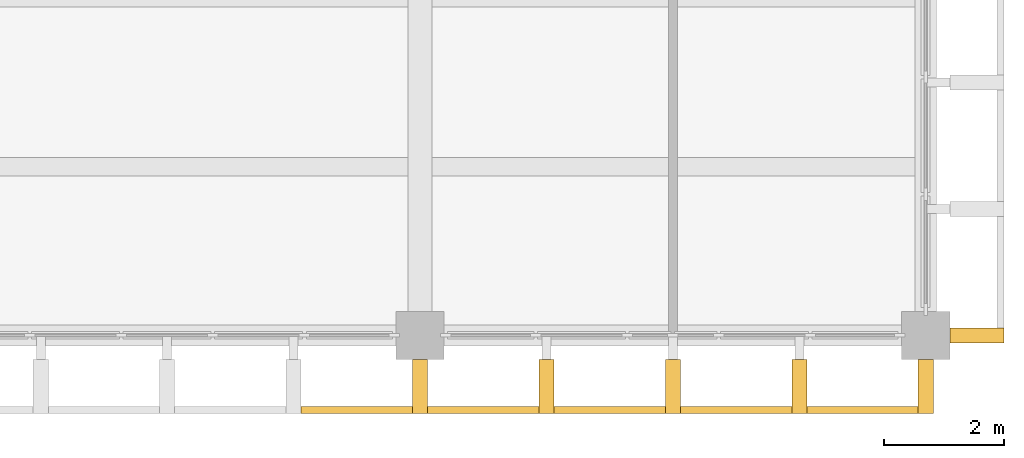
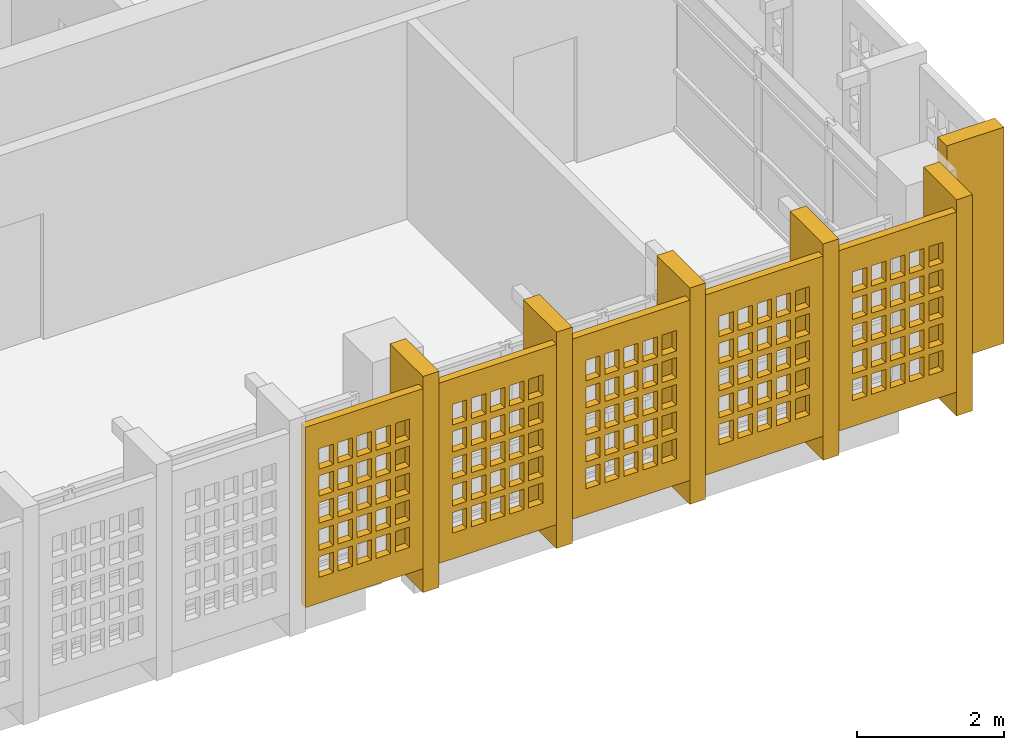
# One storey, part 9 of 13: 11 shading devices, 5 openings.
"""IFC4 building model written with IfcOpenShell, lengths in metres."""

import ifcopenshell
import ifcopenshell.guid

model = None  # the IFC model being written
_history = None  # IfcOwnerHistory: only IFC2X3 demands one
_inside = {}  # id of a spatial element -> (the spatial element, [elements in it])
_under = {}  # id of a project, library or spatial element -> (it, [spatial elements below it])
_declared = {}  # id of a project -> (the project, [libraries it declares])
_typed = {}  # id of a type object -> (the type object, [elements of that type])
_made_of = {}  # id of a material, layer set ... -> (it, [elements and type objects made of it])


def new_model(schema):
    """Start an empty IFC model of exactly this schema.

    Asked for "IFC4X3", IfcOpenShell would pick the latest addendum, in which some entities
    have other attributes; the version numbers below select the first issue.
    IFC2X3 requires an IfcOwnerHistory on every rooted entity: one is made here for all.
    """
    global model, _history
    if schema == "IFC4X3":
        model = ifcopenshell.file(schema_version=(4, 3, 0, 0))
    else:
        model = ifcopenshell.file(schema=schema)
    _inside.clear()
    _under.clear()
    _declared.clear()
    _typed.clear()
    _made_of.clear()
    _history = None
    if model.schema == "IFC2X3":
        org = make("IfcOrganization", Name="unknown")
        user = make(
            "IfcPersonAndOrganization",
            ThePerson=make("IfcPerson", FamilyName="unknown"),
            TheOrganization=org,
        )
        app = make(
            "IfcApplication",
            ApplicationDeveloper=org,
            Version="unknown",
            ApplicationFullName="unknown",
            ApplicationIdentifier="unknown",
        )
        _history = make(
            "IfcOwnerHistory",
            OwningUser=user,
            OwningApplication=app,
            ChangeAction="ADDED",
            CreationDate=0,
        )
    return model


def make(cls, **values):
    """One entity of the class cls with the attributes given. An attribute that is None is left unset."""
    return model.create_entity(
        cls, **{name: value for name, value in values.items() if value is not None}
    )


def rooted(cls, **values):
    """An entity with a GlobalId (a new one), such as an element, a storey or a relation."""
    return make(cls, GlobalId=ifcopenshell.guid.new(), OwnerHistory=_history, **values)


def si_unit(unit_type, name, prefix=None):
    """IfcSIUnit, for example si_unit("LENGTHUNIT", "METRE", prefix="MILLI")."""
    return make("IfcSIUnit", UnitType=unit_type, Prefix=prefix, Name=name)


def assignment(units):
    """IfcUnitAssignment: the units of a project."""
    return None if units is None else make("IfcUnitAssignment", Units=units)


def point(xyz):
    """IfcCartesianPoint."""
    return None if xyz is None else make("IfcCartesianPoint", Coordinates=xyz)


def direction(xyz):
    """IfcDirection."""
    return None if xyz is None else make("IfcDirection", DirectionRatios=xyz)


def frame(location, z_axis=None, x_axis=None):
    """IfcAxis2Placement3D, a coordinate frame: its origin and axes. An axis left out is left unset."""
    return make(
        "IfcAxis2Placement3D",
        Location=point(location),
        Axis=direction(z_axis),
        RefDirection=direction(x_axis),
    )


def frame_2d(location, x_axis=None):
    """IfcAxis2Placement2D, a coordinate frame in the plane: its origin and x axis."""
    return make(
        "IfcAxis2Placement2D", Location=point(location), RefDirection=direction(x_axis)
    )


def origin():
    """The frame at (0, 0, 0) with its axes left unset."""
    return frame((0.0, 0.0, 0.0))


def origin_2d():
    """The frame at (0, 0) in the plane with its x axis left unset."""
    return frame_2d((0.0, 0.0))


def place(relative_to, where):
    """IfcLocalPlacement: puts the frame where relative to a parent placement (None: the world)."""
    return make(
        "IfcLocalPlacement", PlacementRelTo=relative_to, RelativePlacement=where
    )


def context(
    kind, dimensions, precision=None, world=None, true_north=None, identifier=None
):
    """IfcGeometricRepresentationContext, for example the 3D "Model" context."""
    return make(
        "IfcGeometricRepresentationContext",
        ContextIdentifier=identifier,
        ContextType=kind,
        CoordinateSpaceDimension=dimensions,
        Precision=precision,
        WorldCoordinateSystem=world,
        TrueNorth=true_north,
    )


def subcontext(parent, identifier, kind, view, scale=None):
    """IfcGeometricRepresentationSubContext, for example "Body" below "Model"."""
    return make(
        "IfcGeometricRepresentationSubContext",
        ContextIdentifier=identifier,
        ContextType=kind,
        ParentContext=parent,
        TargetScale=scale,
        TargetView=view,
    )


def project(units=None, contexts=None):
    """IfcProject with its units and contexts."""
    return rooted(
        "IfcProject",
        Name="project",
        RepresentationContexts=contexts,
        UnitsInContext=assignment(units),
    )


def spatial(cls, under=None, at=None, **own):
    """A site, building, storey or space (cls), placed at a placement, below another one or the project."""
    s = rooted(cls, ObjectPlacement=at, **own)
    if under is not None:
        _under.setdefault(under.id(), (under, []))[1].append(s)
    return s


def profile(cls, at=None, kind="AREA", **sizes):
    """A parametric profile (cls). Its sizes go by their IFC names, for example OverallWidth=200.0."""
    return make(cls, ProfileType=kind, Position=at, **sizes)


def rectangle(**sizes):
    """IfcRectangleProfileDef."""
    return profile("IfcRectangleProfileDef", **sizes)


def extrude(swept, where, along, depth):
    """IfcExtrudedAreaSolid: the profile swept, set in the frame where, extruded along a direction by depth."""
    return make(
        "IfcExtrudedAreaSolid",
        SweptArea=swept,
        Position=where,
        ExtrudedDirection=direction(along),
        Depth=depth,
    )


def shape(context_of_items, identifier, shape_type, items):
    """IfcShapeRepresentation: the items that make up one representation, for example the "Body"."""
    return make(
        "IfcShapeRepresentation",
        ContextOfItems=context_of_items,
        RepresentationIdentifier=identifier,
        RepresentationType=shape_type,
        Items=items,
    )


def material(Name=None, Category=None):
    """IfcMaterial."""
    return make("IfcMaterial", Name=Name, Category=Category)


def layer(
    of_material, thickness, ventilated=None, Name=None, Category=None, Priority=None
):
    """IfcMaterialLayer: one layer of a wall or slab, of a material (None: an air gap)."""
    return make(
        "IfcMaterialLayer",
        Material=of_material,
        LayerThickness=thickness,
        IsVentilated=ventilated,
        Name=Name,
        Category=Category,
        Priority=Priority,
    )


def layer_set(layers, Name=None):
    """IfcMaterialLayerSet."""
    return make("IfcMaterialLayerSet", MaterialLayers=layers, LayerSetName=Name)


def material_profile(
    of_material, cross_section, Name=None, Category=None, Priority=None
):
    """IfcMaterialProfile: a cross section and its material."""
    return make(
        "IfcMaterialProfile",
        Name=Name,
        Material=of_material,
        Profile=cross_section,
        Priority=Priority,
        Category=Category,
    )


def profile_set(profiles, Name=None, composite=None):
    """IfcMaterialProfileSet."""
    return make(
        "IfcMaterialProfileSet",
        Name=Name,
        MaterialProfiles=profiles,
        CompositeProfile=composite,
    )


def made_of(thing, what):
    """Note that an element or type object is made of a material, layer set ...; save() writes the relation."""
    if what is not None:
        _made_of.setdefault(what.id(), (what, []))[1].append(thing)
    return thing


def type_object(cls, material=None, **own):
    """A type object (cls), such as IfcWallType, which elements share."""
    return made_of(rooted(cls, **own), material)


def element(
    cls,
    number,
    at=None,
    inside=None,
    cuts=None,
    type_object=None,
    material=None,
    context=None,
    identifier="Body",
    shape_type=None,
    held_by="IfcProductDefinitionShape",
    body=None,
    shapes=None,
    **own,
):
    """One element of the class cls, such as IfcWall. Its Tag is "e" and its number.

    at: its placement. inside: the storey or other place that contains it. cuts: it is an
    opening in that element (IfcRelVoidsElement). A single representation is given by context,
    identifier, shape_type and body (its items); several are given by shapes. held_by: the class
    of the entity that holds the representations. save() writes the other relations.
    """
    e = rooted(cls, Tag="e%d" % number, ObjectPlacement=at, **own)
    if body is not None:
        shapes = [shape(context, identifier, shape_type, body)]
    if shapes is not None:
        e.Representation = make(held_by, Representations=shapes)
    if inside is not None:
        _inside.setdefault(inside.id(), (inside, []))[1].append(e)
    if cuts is not None:
        rooted(
            "IfcRelVoidsElement", RelatingBuildingElement=cuts, RelatedOpeningElement=e
        )
    if type_object is not None:
        _typed.setdefault(type_object.id(), (type_object, []))[1].append(e)
    return made_of(e, material)


def aggregate(whole, parts):
    """IfcRelAggregates: a whole, such as a stair, and the parts it consists of."""
    return rooted("IfcRelAggregates", RelatingObject=whole, RelatedObjects=parts)


def save(model, path):
    """Write the relations noted so far, then the file.

    IfcRelAggregates (storeys below a building ...), IfcRelContainedInSpatialStructure (elements
    in a storey), IfcRelDefinesByType, IfcRelAssociatesMaterial and IfcRelDeclares: one each for
    every whole, place, type object, material and project.
    """
    for whole, parts in _under.values():
        aggregate(whole, parts)
    for where, things in _inside.values():
        rooted(
            "IfcRelContainedInSpatialStructure",
            RelatedElements=things,
            RelatingStructure=where,
        )
    for kind, things in _typed.values():
        rooted("IfcRelDefinesByType", RelatedObjects=things, RelatingType=kind)
    for what, things in _made_of.values():
        rooted("IfcRelAssociatesMaterial", RelatedObjects=things, RelatingMaterial=what)
    for by, libraries in _declared.values():
        rooted("IfcRelDeclares", RelatingContext=by, RelatedDefinitions=libraries)
    model.write(path)


model = new_model("IFC4")

# Units and contexts
model_context = context("Model", 3, precision=1e-05, world=origin(), true_north=direction((0.0, 1.0)))
body_context = subcontext(model_context, "Body", "Model", "MODEL_VIEW")
ifc_project = project(units=[si_unit("LENGTHUNIT", "METRE"), si_unit("AREAUNIT", "SQUARE_METRE"), si_unit("VOLUMEUNIT", "CUBIC_METRE"), si_unit("PLANEANGLEUNIT", "RADIAN"), si_unit("MASSUNIT", "GRAM", prefix="KILO")], contexts=[model_context])

# Site, building, storey
site_placement = place(None, origin())
site = spatial("IfcSite", under=ifc_project, at=site_placement, CompositionType="ELEMENT")
building_placement = place(site_placement, origin())
building = spatial("IfcBuilding", under=site, at=building_placement, Name="Rulbaag Community and Learning Centre", CompositionType="ELEMENT")
storey_placement = place(building_placement, frame((0.0, 0.0, 39.60009765625)))
storey = spatial("IfcBuildingStorey", under=building, at=storey_placement, Name="L10", CompositionType="ELEMENT", Elevation=39.60009765625)

# Shading devices
ifc_material = material(Name="Concrete M40", Category="concrete")
ifc_material_profile = material_profile(ifc_material, rectangle(XDim=0.25, YDim=0.89990234375, at=origin_2d()), Name="PC 250x900")
ifc_profile_set = profile_set([ifc_material_profile], Name="Concrete M40")
shading_device_type_1 = type_object("IfcShadingDeviceType", Name="FIN-H", PredefinedType="JALOUSIE", material=ifc_profile_set)
for number, where, z_axis, x_axis, name in (
    (1, (159.60009765625, 83.14990234375, 0.0), (0.0, 0.0, 1.0), (1.0, 0.0, 0.0), "Precast fin"),
    (2, (161.699951171875, 83.14990234375, 0.0), (0.0, 0.0, 1.0), (1.0, 0.0, 0.0), "Precast fin"),
    (3, (163.800048828125, 83.14990234375, 0.0), (0.0, 0.0, 1.0), (1.0, 0.0, 0.0), "Precast fin"),
    (4, (165.89990234375, 83.14990234375, 0.0), (0.0, 0.0, 1.0), (1.0, 0.0, 0.0), "Precast fin"),
    (5, (168.0, 83.14990234375, 0.0), (0.0, 0.0, 1.0), (1.0, 0.0, 0.0), "Precast fin"),
    (6, (168.85009765625, 84.0, 0.0), (0.0, 0.0, 1.0), (0.0, 1.0, 0.0), "Precast fin"),
):
    element("IfcShadingDevice", number, at=place(storey_placement, frame(where, z_axis=z_axis, x_axis=x_axis)), inside=storey, type_object=shading_device_type_1, Name=name, PredefinedType="JALOUSIE", context=body_context, shape_type="SweptSolid", body=[
        extrude(rectangle(XDim=0.25, YDim=0.89990234375, at=origin_2d()), origin(), (0.0, 0.0, 1.0), 3.599853515625),
    ])

# Shading device, opening
ifc_layer = layer(ifc_material, 0.1201171875)
ifc_layer_set = layer_set([ifc_layer], Name="JB-83")
shading_device_type_2 = type_object("IfcShadingDeviceType", Name="JB-83", PredefinedType="SHUTTER", material=ifc_layer_set)
shading_device_1_placement = place(storey_placement, frame((158.550048828125, 82.760009765625, 0.39990234375), z_axis=(0.0, 0.0, 1.0), x_axis=(1.0, 0.0, 0.0)))
shading_device_1 = element("IfcShadingDevice", 7, at=shading_device_1_placement, inside=storey, type_object=shading_device_type_2, Name="Jaali screen", PredefinedType="SHUTTER", context=body_context, shape_type="SweptSolid", body=[
    extrude(rectangle(XDim=1.85009765625, YDim=0.1201171875, at=origin_2d()), origin(), (0.0, 0.0, 1.0), 3.0),
])
opening_1_placement = place(shading_device_1_placement, origin())
element("IfcOpeningElement", 8, at=opening_1_placement, cuts=shading_device_1, Name="Perforation JB1", PredefinedType="OPENING", context=body_context, shape_type="SweptSolid", body=[
    extrude(rectangle(XDim=0.22509765625, YDim=0.340087890625, at=origin_2d()), frame((-0.60009765625, -0.070068359375, 0.60009765625), z_axis=(0.0, 1.0, 0.0), x_axis=(1.0, 0.0, 0.0)), (0.0, 0.0, 1.0), 0.139892578125),
    extrude(rectangle(XDim=0.22509765625, YDim=0.340087890625, at=origin_2d()), frame((-0.300048828125, -0.070068359375, 0.60009765625), z_axis=(0.0, 1.0, 0.0), x_axis=(1.0, 0.0, 0.0)), (0.0, 0.0, 1.0), 0.139892578125),
    extrude(rectangle(XDim=0.22509765625, YDim=0.340087890625, at=origin_2d()), frame((0.0, -0.070068359375, 0.60009765625), z_axis=(0.0, 1.0, 0.0), x_axis=(1.0, 0.0, 0.0)), (0.0, 0.0, 1.0), 0.139892578125),
    extrude(rectangle(XDim=0.22509765625, YDim=0.340087890625, at=origin_2d()), frame((0.300048828125, -0.070068359375, 0.60009765625), z_axis=(0.0, 1.0, 0.0), x_axis=(1.0, 0.0, 0.0)), (0.0, 0.0, 1.0), 0.139892578125),
    extrude(rectangle(XDim=0.22509765625, YDim=0.340087890625, at=origin_2d()), frame((0.60009765625, -0.070068359375, 0.60009765625), z_axis=(0.0, 1.0, 0.0), x_axis=(1.0, 0.0, 0.0)), (0.0, 0.0, 1.0), 0.139892578125),
    extrude(rectangle(XDim=0.22509765625, YDim=0.340087890625, at=origin_2d()), frame((-0.60009765625, -0.070068359375, 1.050048828125), z_axis=(0.0, 1.0, 0.0), x_axis=(1.0, 0.0, 0.0)), (0.0, 0.0, 1.0), 0.139892578125),
    extrude(rectangle(XDim=0.22509765625, YDim=0.340087890625, at=origin_2d()), frame((-0.300048828125, -0.070068359375, 1.050048828125), z_axis=(0.0, 1.0, 0.0), x_axis=(1.0, 0.0, 0.0)), (0.0, 0.0, 1.0), 0.139892578125),
    extrude(rectangle(XDim=0.22509765625, YDim=0.340087890625, at=origin_2d()), frame((0.0, -0.070068359375, 1.050048828125), z_axis=(0.0, 1.0, 0.0), x_axis=(1.0, 0.0, 0.0)), (0.0, 0.0, 1.0), 0.139892578125),
    extrude(rectangle(XDim=0.22509765625, YDim=0.340087890625, at=origin_2d()), frame((0.300048828125, -0.070068359375, 1.050048828125), z_axis=(0.0, 1.0, 0.0), x_axis=(1.0, 0.0, 0.0)), (0.0, 0.0, 1.0), 0.139892578125),
    extrude(rectangle(XDim=0.22509765625, YDim=0.340087890625, at=origin_2d()), frame((0.60009765625, -0.070068359375, 1.050048828125), z_axis=(0.0, 1.0, 0.0), x_axis=(1.0, 0.0, 0.0)), (0.0, 0.0, 1.0), 0.139892578125),
    extrude(rectangle(XDim=0.22509765625, YDim=0.340087890625, at=origin_2d()), frame((-0.60009765625, -0.070068359375, 1.5), z_axis=(0.0, 1.0, 0.0), x_axis=(1.0, 0.0, 0.0)), (0.0, 0.0, 1.0), 0.139892578125),
    extrude(rectangle(XDim=0.22509765625, YDim=0.340087890625, at=origin_2d()), frame((-0.300048828125, -0.070068359375, 1.5), z_axis=(0.0, 1.0, 0.0), x_axis=(1.0, 0.0, 0.0)), (0.0, 0.0, 1.0), 0.139892578125),
    extrude(rectangle(XDim=0.22509765625, YDim=0.340087890625, at=origin_2d()), frame((0.0, -0.070068359375, 1.5), z_axis=(0.0, 1.0, 0.0), x_axis=(1.0, 0.0, 0.0)), (0.0, 0.0, 1.0), 0.139892578125),
    extrude(rectangle(XDim=0.22509765625, YDim=0.340087890625, at=origin_2d()), frame((0.300048828125, -0.070068359375, 1.5), z_axis=(0.0, 1.0, 0.0), x_axis=(1.0, 0.0, 0.0)), (0.0, 0.0, 1.0), 0.139892578125),
    extrude(rectangle(XDim=0.22509765625, YDim=0.340087890625, at=origin_2d()), frame((0.60009765625, -0.070068359375, 1.5), z_axis=(0.0, 1.0, 0.0), x_axis=(1.0, 0.0, 0.0)), (0.0, 0.0, 1.0), 0.139892578125),
    extrude(rectangle(XDim=0.22509765625, YDim=0.340087890625, at=origin_2d()), frame((-0.60009765625, -0.070068359375, 1.949951171875), z_axis=(0.0, 1.0, 0.0), x_axis=(1.0, 0.0, 0.0)), (0.0, 0.0, 1.0), 0.139892578125),
    extrude(rectangle(XDim=0.22509765625, YDim=0.340087890625, at=origin_2d()), frame((-0.300048828125, -0.070068359375, 1.949951171875), z_axis=(0.0, 1.0, 0.0), x_axis=(1.0, 0.0, 0.0)), (0.0, 0.0, 1.0), 0.139892578125),
    extrude(rectangle(XDim=0.22509765625, YDim=0.340087890625, at=origin_2d()), frame((0.0, -0.070068359375, 1.949951171875), z_axis=(0.0, 1.0, 0.0), x_axis=(1.0, 0.0, 0.0)), (0.0, 0.0, 1.0), 0.139892578125),
    extrude(rectangle(XDim=0.22509765625, YDim=0.340087890625, at=origin_2d()), frame((0.300048828125, -0.070068359375, 1.949951171875), z_axis=(0.0, 1.0, 0.0), x_axis=(1.0, 0.0, 0.0)), (0.0, 0.0, 1.0), 0.139892578125),
    extrude(rectangle(XDim=0.22509765625, YDim=0.340087890625, at=origin_2d()), frame((0.60009765625, -0.070068359375, 1.949951171875), z_axis=(0.0, 1.0, 0.0), x_axis=(1.0, 0.0, 0.0)), (0.0, 0.0, 1.0), 0.139892578125),
    extrude(rectangle(XDim=0.22509765625, YDim=0.340087890625, at=origin_2d()), frame((-0.60009765625, -0.070068359375, 2.39990234375), z_axis=(0.0, 1.0, 0.0), x_axis=(1.0, 0.0, 0.0)), (0.0, 0.0, 1.0), 0.139892578125),
    extrude(rectangle(XDim=0.22509765625, YDim=0.340087890625, at=origin_2d()), frame((-0.300048828125, -0.070068359375, 2.39990234375), z_axis=(0.0, 1.0, 0.0), x_axis=(1.0, 0.0, 0.0)), (0.0, 0.0, 1.0), 0.139892578125),
    extrude(rectangle(XDim=0.22509765625, YDim=0.340087890625, at=origin_2d()), frame((0.0, -0.070068359375, 2.39990234375), z_axis=(0.0, 1.0, 0.0), x_axis=(1.0, 0.0, 0.0)), (0.0, 0.0, 1.0), 0.139892578125),
    extrude(rectangle(XDim=0.22509765625, YDim=0.340087890625, at=origin_2d()), frame((0.300048828125, -0.070068359375, 2.39990234375), z_axis=(0.0, 1.0, 0.0), x_axis=(1.0, 0.0, 0.0)), (0.0, 0.0, 1.0), 0.139892578125),
    extrude(rectangle(XDim=0.22509765625, YDim=0.340087890625, at=origin_2d()), frame((0.60009765625, -0.070068359375, 2.39990234375), z_axis=(0.0, 1.0, 0.0), x_axis=(1.0, 0.0, 0.0)), (0.0, 0.0, 1.0), 0.139892578125),
])

shading_device_2_placement = place(storey_placement, frame((160.64990234375, 82.760009765625, 0.39990234375), z_axis=(0.0, 0.0, 1.0), x_axis=(1.0, 0.0, 0.0)))
shading_device_2 = element("IfcShadingDevice", 9, at=shading_device_2_placement, inside=storey, type_object=shading_device_type_2, Name="Jaali screen", PredefinedType="SHUTTER", context=body_context, shape_type="SweptSolid", body=[
    extrude(rectangle(XDim=1.85009765625, YDim=0.1201171875, at=origin_2d()), origin(), (0.0, 0.0, 1.0), 3.0),
])
opening_2_placement = place(shading_device_2_placement, origin())
element("IfcOpeningElement", 10, at=opening_2_placement, cuts=shading_device_2, Name="Perforation JB1", PredefinedType="OPENING", context=body_context, shape_type="SweptSolid", body=[
    extrude(rectangle(XDim=0.22509765625, YDim=0.340087890625, at=origin_2d()), frame((-0.60009765625, -0.070068359375, 0.60009765625), z_axis=(0.0, 1.0, 0.0), x_axis=(1.0, 0.0, 0.0)), (0.0, 0.0, 1.0), 0.139892578125),
    extrude(rectangle(XDim=0.22509765625, YDim=0.340087890625, at=origin_2d()), frame((-0.300048828125, -0.070068359375, 0.60009765625), z_axis=(0.0, 1.0, 0.0), x_axis=(1.0, 0.0, 0.0)), (0.0, 0.0, 1.0), 0.139892578125),
    extrude(rectangle(XDim=0.22509765625, YDim=0.340087890625, at=origin_2d()), frame((0.0, -0.070068359375, 0.60009765625), z_axis=(0.0, 1.0, 0.0), x_axis=(1.0, 0.0, 0.0)), (0.0, 0.0, 1.0), 0.139892578125),
    extrude(rectangle(XDim=0.22509765625, YDim=0.340087890625, at=origin_2d()), frame((0.300048828125, -0.070068359375, 0.60009765625), z_axis=(0.0, 1.0, 0.0), x_axis=(1.0, 0.0, 0.0)), (0.0, 0.0, 1.0), 0.139892578125),
    extrude(rectangle(XDim=0.22509765625, YDim=0.340087890625, at=origin_2d()), frame((0.60009765625, -0.070068359375, 0.60009765625), z_axis=(0.0, 1.0, 0.0), x_axis=(1.0, 0.0, 0.0)), (0.0, 0.0, 1.0), 0.139892578125),
    extrude(rectangle(XDim=0.22509765625, YDim=0.340087890625, at=origin_2d()), frame((-0.60009765625, -0.070068359375, 1.050048828125), z_axis=(0.0, 1.0, 0.0), x_axis=(1.0, 0.0, 0.0)), (0.0, 0.0, 1.0), 0.139892578125),
    extrude(rectangle(XDim=0.22509765625, YDim=0.340087890625, at=origin_2d()), frame((-0.300048828125, -0.070068359375, 1.050048828125), z_axis=(0.0, 1.0, 0.0), x_axis=(1.0, 0.0, 0.0)), (0.0, 0.0, 1.0), 0.139892578125),
    extrude(rectangle(XDim=0.22509765625, YDim=0.340087890625, at=origin_2d()), frame((0.0, -0.070068359375, 1.050048828125), z_axis=(0.0, 1.0, 0.0), x_axis=(1.0, 0.0, 0.0)), (0.0, 0.0, 1.0), 0.139892578125),
    extrude(rectangle(XDim=0.22509765625, YDim=0.340087890625, at=origin_2d()), frame((0.300048828125, -0.070068359375, 1.050048828125), z_axis=(0.0, 1.0, 0.0), x_axis=(1.0, 0.0, 0.0)), (0.0, 0.0, 1.0), 0.139892578125),
    extrude(rectangle(XDim=0.22509765625, YDim=0.340087890625, at=origin_2d()), frame((0.60009765625, -0.070068359375, 1.050048828125), z_axis=(0.0, 1.0, 0.0), x_axis=(1.0, 0.0, 0.0)), (0.0, 0.0, 1.0), 0.139892578125),
    extrude(rectangle(XDim=0.22509765625, YDim=0.340087890625, at=origin_2d()), frame((-0.60009765625, -0.070068359375, 1.5), z_axis=(0.0, 1.0, 0.0), x_axis=(1.0, 0.0, 0.0)), (0.0, 0.0, 1.0), 0.139892578125),
    extrude(rectangle(XDim=0.22509765625, YDim=0.340087890625, at=origin_2d()), frame((-0.300048828125, -0.070068359375, 1.5), z_axis=(0.0, 1.0, 0.0), x_axis=(1.0, 0.0, 0.0)), (0.0, 0.0, 1.0), 0.139892578125),
    extrude(rectangle(XDim=0.22509765625, YDim=0.340087890625, at=origin_2d()), frame((0.0, -0.070068359375, 1.5), z_axis=(0.0, 1.0, 0.0), x_axis=(1.0, 0.0, 0.0)), (0.0, 0.0, 1.0), 0.139892578125),
    extrude(rectangle(XDim=0.22509765625, YDim=0.340087890625, at=origin_2d()), frame((0.300048828125, -0.070068359375, 1.5), z_axis=(0.0, 1.0, 0.0), x_axis=(1.0, 0.0, 0.0)), (0.0, 0.0, 1.0), 0.139892578125),
    extrude(rectangle(XDim=0.22509765625, YDim=0.340087890625, at=origin_2d()), frame((0.60009765625, -0.070068359375, 1.5), z_axis=(0.0, 1.0, 0.0), x_axis=(1.0, 0.0, 0.0)), (0.0, 0.0, 1.0), 0.139892578125),
    extrude(rectangle(XDim=0.22509765625, YDim=0.340087890625, at=origin_2d()), frame((-0.60009765625, -0.070068359375, 1.949951171875), z_axis=(0.0, 1.0, 0.0), x_axis=(1.0, 0.0, 0.0)), (0.0, 0.0, 1.0), 0.139892578125),
    extrude(rectangle(XDim=0.22509765625, YDim=0.340087890625, at=origin_2d()), frame((-0.300048828125, -0.070068359375, 1.949951171875), z_axis=(0.0, 1.0, 0.0), x_axis=(1.0, 0.0, 0.0)), (0.0, 0.0, 1.0), 0.139892578125),
    extrude(rectangle(XDim=0.22509765625, YDim=0.340087890625, at=origin_2d()), frame((0.0, -0.070068359375, 1.949951171875), z_axis=(0.0, 1.0, 0.0), x_axis=(1.0, 0.0, 0.0)), (0.0, 0.0, 1.0), 0.139892578125),
    extrude(rectangle(XDim=0.22509765625, YDim=0.340087890625, at=origin_2d()), frame((0.300048828125, -0.070068359375, 1.949951171875), z_axis=(0.0, 1.0, 0.0), x_axis=(1.0, 0.0, 0.0)), (0.0, 0.0, 1.0), 0.139892578125),
    extrude(rectangle(XDim=0.22509765625, YDim=0.340087890625, at=origin_2d()), frame((0.60009765625, -0.070068359375, 1.949951171875), z_axis=(0.0, 1.0, 0.0), x_axis=(1.0, 0.0, 0.0)), (0.0, 0.0, 1.0), 0.139892578125),
    extrude(rectangle(XDim=0.22509765625, YDim=0.340087890625, at=origin_2d()), frame((-0.60009765625, -0.070068359375, 2.39990234375), z_axis=(0.0, 1.0, 0.0), x_axis=(1.0, 0.0, 0.0)), (0.0, 0.0, 1.0), 0.139892578125),
    extrude(rectangle(XDim=0.22509765625, YDim=0.340087890625, at=origin_2d()), frame((-0.300048828125, -0.070068359375, 2.39990234375), z_axis=(0.0, 1.0, 0.0), x_axis=(1.0, 0.0, 0.0)), (0.0, 0.0, 1.0), 0.139892578125),
    extrude(rectangle(XDim=0.22509765625, YDim=0.340087890625, at=origin_2d()), frame((0.0, -0.070068359375, 2.39990234375), z_axis=(0.0, 1.0, 0.0), x_axis=(1.0, 0.0, 0.0)), (0.0, 0.0, 1.0), 0.139892578125),
    extrude(rectangle(XDim=0.22509765625, YDim=0.340087890625, at=origin_2d()), frame((0.300048828125, -0.070068359375, 2.39990234375), z_axis=(0.0, 1.0, 0.0), x_axis=(1.0, 0.0, 0.0)), (0.0, 0.0, 1.0), 0.139892578125),
    extrude(rectangle(XDim=0.22509765625, YDim=0.340087890625, at=origin_2d()), frame((0.60009765625, -0.070068359375, 2.39990234375), z_axis=(0.0, 1.0, 0.0), x_axis=(1.0, 0.0, 0.0)), (0.0, 0.0, 1.0), 0.139892578125),
])

shading_device_3_placement = place(storey_placement, frame((162.75, 82.760009765625, 0.39990234375), z_axis=(0.0, 0.0, 1.0), x_axis=(1.0, 0.0, 0.0)))
shading_device_3 = element("IfcShadingDevice", 11, at=shading_device_3_placement, inside=storey, type_object=shading_device_type_2, Name="Jaali screen", PredefinedType="SHUTTER", context=body_context, shape_type="SweptSolid", body=[
    extrude(rectangle(XDim=1.85009765625, YDim=0.1201171875, at=origin_2d()), origin(), (0.0, 0.0, 1.0), 3.0),
])
opening_3_placement = place(shading_device_3_placement, origin())
element("IfcOpeningElement", 12, at=opening_3_placement, cuts=shading_device_3, Name="Perforation JB1", PredefinedType="OPENING", context=body_context, shape_type="SweptSolid", body=[
    extrude(rectangle(XDim=0.22509765625, YDim=0.340087890625, at=origin_2d()), frame((-0.60009765625, -0.070068359375, 0.60009765625), z_axis=(0.0, 1.0, 0.0), x_axis=(1.0, 0.0, 0.0)), (0.0, 0.0, 1.0), 0.139892578125),
    extrude(rectangle(XDim=0.22509765625, YDim=0.340087890625, at=origin_2d()), frame((-0.300048828125, -0.070068359375, 0.60009765625), z_axis=(0.0, 1.0, 0.0), x_axis=(1.0, 0.0, 0.0)), (0.0, 0.0, 1.0), 0.139892578125),
    extrude(rectangle(XDim=0.22509765625, YDim=0.340087890625, at=origin_2d()), frame((0.0, -0.070068359375, 0.60009765625), z_axis=(0.0, 1.0, 0.0), x_axis=(1.0, 0.0, 0.0)), (0.0, 0.0, 1.0), 0.139892578125),
    extrude(rectangle(XDim=0.22509765625, YDim=0.340087890625, at=origin_2d()), frame((0.300048828125, -0.070068359375, 0.60009765625), z_axis=(0.0, 1.0, 0.0), x_axis=(1.0, 0.0, 0.0)), (0.0, 0.0, 1.0), 0.139892578125),
    extrude(rectangle(XDim=0.22509765625, YDim=0.340087890625, at=origin_2d()), frame((0.60009765625, -0.070068359375, 0.60009765625), z_axis=(0.0, 1.0, 0.0), x_axis=(1.0, 0.0, 0.0)), (0.0, 0.0, 1.0), 0.139892578125),
    extrude(rectangle(XDim=0.22509765625, YDim=0.340087890625, at=origin_2d()), frame((-0.60009765625, -0.070068359375, 1.050048828125), z_axis=(0.0, 1.0, 0.0), x_axis=(1.0, 0.0, 0.0)), (0.0, 0.0, 1.0), 0.139892578125),
    extrude(rectangle(XDim=0.22509765625, YDim=0.340087890625, at=origin_2d()), frame((-0.300048828125, -0.070068359375, 1.050048828125), z_axis=(0.0, 1.0, 0.0), x_axis=(1.0, 0.0, 0.0)), (0.0, 0.0, 1.0), 0.139892578125),
    extrude(rectangle(XDim=0.22509765625, YDim=0.340087890625, at=origin_2d()), frame((0.0, -0.070068359375, 1.050048828125), z_axis=(0.0, 1.0, 0.0), x_axis=(1.0, 0.0, 0.0)), (0.0, 0.0, 1.0), 0.139892578125),
    extrude(rectangle(XDim=0.22509765625, YDim=0.340087890625, at=origin_2d()), frame((0.300048828125, -0.070068359375, 1.050048828125), z_axis=(0.0, 1.0, 0.0), x_axis=(1.0, 0.0, 0.0)), (0.0, 0.0, 1.0), 0.139892578125),
    extrude(rectangle(XDim=0.22509765625, YDim=0.340087890625, at=origin_2d()), frame((0.60009765625, -0.070068359375, 1.050048828125), z_axis=(0.0, 1.0, 0.0), x_axis=(1.0, 0.0, 0.0)), (0.0, 0.0, 1.0), 0.139892578125),
    extrude(rectangle(XDim=0.22509765625, YDim=0.340087890625, at=origin_2d()), frame((-0.60009765625, -0.070068359375, 1.5), z_axis=(0.0, 1.0, 0.0), x_axis=(1.0, 0.0, 0.0)), (0.0, 0.0, 1.0), 0.139892578125),
    extrude(rectangle(XDim=0.22509765625, YDim=0.340087890625, at=origin_2d()), frame((-0.300048828125, -0.070068359375, 1.5), z_axis=(0.0, 1.0, 0.0), x_axis=(1.0, 0.0, 0.0)), (0.0, 0.0, 1.0), 0.139892578125),
    extrude(rectangle(XDim=0.22509765625, YDim=0.340087890625, at=origin_2d()), frame((0.0, -0.070068359375, 1.5), z_axis=(0.0, 1.0, 0.0), x_axis=(1.0, 0.0, 0.0)), (0.0, 0.0, 1.0), 0.139892578125),
    extrude(rectangle(XDim=0.22509765625, YDim=0.340087890625, at=origin_2d()), frame((0.300048828125, -0.070068359375, 1.5), z_axis=(0.0, 1.0, 0.0), x_axis=(1.0, 0.0, 0.0)), (0.0, 0.0, 1.0), 0.139892578125),
    extrude(rectangle(XDim=0.22509765625, YDim=0.340087890625, at=origin_2d()), frame((0.60009765625, -0.070068359375, 1.5), z_axis=(0.0, 1.0, 0.0), x_axis=(1.0, 0.0, 0.0)), (0.0, 0.0, 1.0), 0.139892578125),
    extrude(rectangle(XDim=0.22509765625, YDim=0.340087890625, at=origin_2d()), frame((-0.60009765625, -0.070068359375, 1.949951171875), z_axis=(0.0, 1.0, 0.0), x_axis=(1.0, 0.0, 0.0)), (0.0, 0.0, 1.0), 0.139892578125),
    extrude(rectangle(XDim=0.22509765625, YDim=0.340087890625, at=origin_2d()), frame((-0.300048828125, -0.070068359375, 1.949951171875), z_axis=(0.0, 1.0, 0.0), x_axis=(1.0, 0.0, 0.0)), (0.0, 0.0, 1.0), 0.139892578125),
    extrude(rectangle(XDim=0.22509765625, YDim=0.340087890625, at=origin_2d()), frame((0.0, -0.070068359375, 1.949951171875), z_axis=(0.0, 1.0, 0.0), x_axis=(1.0, 0.0, 0.0)), (0.0, 0.0, 1.0), 0.139892578125),
    extrude(rectangle(XDim=0.22509765625, YDim=0.340087890625, at=origin_2d()), frame((0.300048828125, -0.070068359375, 1.949951171875), z_axis=(0.0, 1.0, 0.0), x_axis=(1.0, 0.0, 0.0)), (0.0, 0.0, 1.0), 0.139892578125),
    extrude(rectangle(XDim=0.22509765625, YDim=0.340087890625, at=origin_2d()), frame((0.60009765625, -0.070068359375, 1.949951171875), z_axis=(0.0, 1.0, 0.0), x_axis=(1.0, 0.0, 0.0)), (0.0, 0.0, 1.0), 0.139892578125),
    extrude(rectangle(XDim=0.22509765625, YDim=0.340087890625, at=origin_2d()), frame((-0.60009765625, -0.070068359375, 2.39990234375), z_axis=(0.0, 1.0, 0.0), x_axis=(1.0, 0.0, 0.0)), (0.0, 0.0, 1.0), 0.139892578125),
    extrude(rectangle(XDim=0.22509765625, YDim=0.340087890625, at=origin_2d()), frame((-0.300048828125, -0.070068359375, 2.39990234375), z_axis=(0.0, 1.0, 0.0), x_axis=(1.0, 0.0, 0.0)), (0.0, 0.0, 1.0), 0.139892578125),
    extrude(rectangle(XDim=0.22509765625, YDim=0.340087890625, at=origin_2d()), frame((0.0, -0.070068359375, 2.39990234375), z_axis=(0.0, 1.0, 0.0), x_axis=(1.0, 0.0, 0.0)), (0.0, 0.0, 1.0), 0.139892578125),
    extrude(rectangle(XDim=0.22509765625, YDim=0.340087890625, at=origin_2d()), frame((0.300048828125, -0.070068359375, 2.39990234375), z_axis=(0.0, 1.0, 0.0), x_axis=(1.0, 0.0, 0.0)), (0.0, 0.0, 1.0), 0.139892578125),
    extrude(rectangle(XDim=0.22509765625, YDim=0.340087890625, at=origin_2d()), frame((0.60009765625, -0.070068359375, 2.39990234375), z_axis=(0.0, 1.0, 0.0), x_axis=(1.0, 0.0, 0.0)), (0.0, 0.0, 1.0), 0.139892578125),
])

shading_device_4_placement = place(storey_placement, frame((164.85009765625, 82.760009765625, 0.39990234375), z_axis=(0.0, 0.0, 1.0), x_axis=(1.0, 0.0, 0.0)))
shading_device_4 = element("IfcShadingDevice", 13, at=shading_device_4_placement, inside=storey, type_object=shading_device_type_2, Name="Jaali screen", PredefinedType="SHUTTER", context=body_context, shape_type="SweptSolid", body=[
    extrude(rectangle(XDim=1.85009765625, YDim=0.1201171875, at=origin_2d()), origin(), (0.0, 0.0, 1.0), 3.0),
])
opening_4_placement = place(shading_device_4_placement, origin())
element("IfcOpeningElement", 14, at=opening_4_placement, cuts=shading_device_4, Name="Perforation JB1", PredefinedType="OPENING", context=body_context, shape_type="SweptSolid", body=[
    extrude(rectangle(XDim=0.22509765625, YDim=0.340087890625, at=origin_2d()), frame((-0.60009765625, -0.070068359375, 0.60009765625), z_axis=(0.0, 1.0, 0.0), x_axis=(1.0, 0.0, 0.0)), (0.0, 0.0, 1.0), 0.139892578125),
    extrude(rectangle(XDim=0.22509765625, YDim=0.340087890625, at=origin_2d()), frame((-0.300048828125, -0.070068359375, 0.60009765625), z_axis=(0.0, 1.0, 0.0), x_axis=(1.0, 0.0, 0.0)), (0.0, 0.0, 1.0), 0.139892578125),
    extrude(rectangle(XDim=0.22509765625, YDim=0.340087890625, at=origin_2d()), frame((0.0, -0.070068359375, 0.60009765625), z_axis=(0.0, 1.0, 0.0), x_axis=(1.0, 0.0, 0.0)), (0.0, 0.0, 1.0), 0.139892578125),
    extrude(rectangle(XDim=0.22509765625, YDim=0.340087890625, at=origin_2d()), frame((0.300048828125, -0.070068359375, 0.60009765625), z_axis=(0.0, 1.0, 0.0), x_axis=(1.0, 0.0, 0.0)), (0.0, 0.0, 1.0), 0.139892578125),
    extrude(rectangle(XDim=0.22509765625, YDim=0.340087890625, at=origin_2d()), frame((0.60009765625, -0.070068359375, 0.60009765625), z_axis=(0.0, 1.0, 0.0), x_axis=(1.0, 0.0, 0.0)), (0.0, 0.0, 1.0), 0.139892578125),
    extrude(rectangle(XDim=0.22509765625, YDim=0.340087890625, at=origin_2d()), frame((-0.60009765625, -0.070068359375, 1.050048828125), z_axis=(0.0, 1.0, 0.0), x_axis=(1.0, 0.0, 0.0)), (0.0, 0.0, 1.0), 0.139892578125),
    extrude(rectangle(XDim=0.22509765625, YDim=0.340087890625, at=origin_2d()), frame((-0.300048828125, -0.070068359375, 1.050048828125), z_axis=(0.0, 1.0, 0.0), x_axis=(1.0, 0.0, 0.0)), (0.0, 0.0, 1.0), 0.139892578125),
    extrude(rectangle(XDim=0.22509765625, YDim=0.340087890625, at=origin_2d()), frame((0.0, -0.070068359375, 1.050048828125), z_axis=(0.0, 1.0, 0.0), x_axis=(1.0, 0.0, 0.0)), (0.0, 0.0, 1.0), 0.139892578125),
    extrude(rectangle(XDim=0.22509765625, YDim=0.340087890625, at=origin_2d()), frame((0.300048828125, -0.070068359375, 1.050048828125), z_axis=(0.0, 1.0, 0.0), x_axis=(1.0, 0.0, 0.0)), (0.0, 0.0, 1.0), 0.139892578125),
    extrude(rectangle(XDim=0.22509765625, YDim=0.340087890625, at=origin_2d()), frame((0.60009765625, -0.070068359375, 1.050048828125), z_axis=(0.0, 1.0, 0.0), x_axis=(1.0, 0.0, 0.0)), (0.0, 0.0, 1.0), 0.139892578125),
    extrude(rectangle(XDim=0.22509765625, YDim=0.340087890625, at=origin_2d()), frame((-0.60009765625, -0.070068359375, 1.5), z_axis=(0.0, 1.0, 0.0), x_axis=(1.0, 0.0, 0.0)), (0.0, 0.0, 1.0), 0.139892578125),
    extrude(rectangle(XDim=0.22509765625, YDim=0.340087890625, at=origin_2d()), frame((-0.300048828125, -0.070068359375, 1.5), z_axis=(0.0, 1.0, 0.0), x_axis=(1.0, 0.0, 0.0)), (0.0, 0.0, 1.0), 0.139892578125),
    extrude(rectangle(XDim=0.22509765625, YDim=0.340087890625, at=origin_2d()), frame((0.0, -0.070068359375, 1.5), z_axis=(0.0, 1.0, 0.0), x_axis=(1.0, 0.0, 0.0)), (0.0, 0.0, 1.0), 0.139892578125),
    extrude(rectangle(XDim=0.22509765625, YDim=0.340087890625, at=origin_2d()), frame((0.300048828125, -0.070068359375, 1.5), z_axis=(0.0, 1.0, 0.0), x_axis=(1.0, 0.0, 0.0)), (0.0, 0.0, 1.0), 0.139892578125),
    extrude(rectangle(XDim=0.22509765625, YDim=0.340087890625, at=origin_2d()), frame((0.60009765625, -0.070068359375, 1.5), z_axis=(0.0, 1.0, 0.0), x_axis=(1.0, 0.0, 0.0)), (0.0, 0.0, 1.0), 0.139892578125),
    extrude(rectangle(XDim=0.22509765625, YDim=0.340087890625, at=origin_2d()), frame((-0.60009765625, -0.070068359375, 1.949951171875), z_axis=(0.0, 1.0, 0.0), x_axis=(1.0, 0.0, 0.0)), (0.0, 0.0, 1.0), 0.139892578125),
    extrude(rectangle(XDim=0.22509765625, YDim=0.340087890625, at=origin_2d()), frame((-0.300048828125, -0.070068359375, 1.949951171875), z_axis=(0.0, 1.0, 0.0), x_axis=(1.0, 0.0, 0.0)), (0.0, 0.0, 1.0), 0.139892578125),
    extrude(rectangle(XDim=0.22509765625, YDim=0.340087890625, at=origin_2d()), frame((0.0, -0.070068359375, 1.949951171875), z_axis=(0.0, 1.0, 0.0), x_axis=(1.0, 0.0, 0.0)), (0.0, 0.0, 1.0), 0.139892578125),
    extrude(rectangle(XDim=0.22509765625, YDim=0.340087890625, at=origin_2d()), frame((0.300048828125, -0.070068359375, 1.949951171875), z_axis=(0.0, 1.0, 0.0), x_axis=(1.0, 0.0, 0.0)), (0.0, 0.0, 1.0), 0.139892578125),
    extrude(rectangle(XDim=0.22509765625, YDim=0.340087890625, at=origin_2d()), frame((0.60009765625, -0.070068359375, 1.949951171875), z_axis=(0.0, 1.0, 0.0), x_axis=(1.0, 0.0, 0.0)), (0.0, 0.0, 1.0), 0.139892578125),
    extrude(rectangle(XDim=0.22509765625, YDim=0.340087890625, at=origin_2d()), frame((-0.60009765625, -0.070068359375, 2.39990234375), z_axis=(0.0, 1.0, 0.0), x_axis=(1.0, 0.0, 0.0)), (0.0, 0.0, 1.0), 0.139892578125),
    extrude(rectangle(XDim=0.22509765625, YDim=0.340087890625, at=origin_2d()), frame((-0.300048828125, -0.070068359375, 2.39990234375), z_axis=(0.0, 1.0, 0.0), x_axis=(1.0, 0.0, 0.0)), (0.0, 0.0, 1.0), 0.139892578125),
    extrude(rectangle(XDim=0.22509765625, YDim=0.340087890625, at=origin_2d()), frame((0.0, -0.070068359375, 2.39990234375), z_axis=(0.0, 1.0, 0.0), x_axis=(1.0, 0.0, 0.0)), (0.0, 0.0, 1.0), 0.139892578125),
    extrude(rectangle(XDim=0.22509765625, YDim=0.340087890625, at=origin_2d()), frame((0.300048828125, -0.070068359375, 2.39990234375), z_axis=(0.0, 1.0, 0.0), x_axis=(1.0, 0.0, 0.0)), (0.0, 0.0, 1.0), 0.139892578125),
    extrude(rectangle(XDim=0.22509765625, YDim=0.340087890625, at=origin_2d()), frame((0.60009765625, -0.070068359375, 2.39990234375), z_axis=(0.0, 1.0, 0.0), x_axis=(1.0, 0.0, 0.0)), (0.0, 0.0, 1.0), 0.139892578125),
])

shading_device_5_placement = place(storey_placement, frame((166.949951171875, 82.760009765625, 0.39990234375), z_axis=(0.0, 0.0, 1.0), x_axis=(1.0, 0.0, 0.0)))
shading_device_5 = element("IfcShadingDevice", 15, at=shading_device_5_placement, inside=storey, type_object=shading_device_type_2, Name="Jaali screen", PredefinedType="SHUTTER", context=body_context, shape_type="SweptSolid", body=[
    extrude(rectangle(XDim=1.85009765625, YDim=0.1201171875, at=origin_2d()), origin(), (0.0, 0.0, 1.0), 3.0),
])
opening_5_placement = place(shading_device_5_placement, origin())
element("IfcOpeningElement", 16, at=opening_5_placement, cuts=shading_device_5, Name="Perforation JB1", PredefinedType="OPENING", context=body_context, shape_type="SweptSolid", body=[
    extrude(rectangle(XDim=0.22509765625, YDim=0.340087890625, at=origin_2d()), frame((-0.60009765625, -0.070068359375, 0.60009765625), z_axis=(0.0, 1.0, 0.0), x_axis=(1.0, 0.0, 0.0)), (0.0, 0.0, 1.0), 0.139892578125),
    extrude(rectangle(XDim=0.22509765625, YDim=0.340087890625, at=origin_2d()), frame((-0.300048828125, -0.070068359375, 0.60009765625), z_axis=(0.0, 1.0, 0.0), x_axis=(1.0, 0.0, 0.0)), (0.0, 0.0, 1.0), 0.139892578125),
    extrude(rectangle(XDim=0.22509765625, YDim=0.340087890625, at=origin_2d()), frame((0.0, -0.070068359375, 0.60009765625), z_axis=(0.0, 1.0, 0.0), x_axis=(1.0, 0.0, 0.0)), (0.0, 0.0, 1.0), 0.139892578125),
    extrude(rectangle(XDim=0.22509765625, YDim=0.340087890625, at=origin_2d()), frame((0.300048828125, -0.070068359375, 0.60009765625), z_axis=(0.0, 1.0, 0.0), x_axis=(1.0, 0.0, 0.0)), (0.0, 0.0, 1.0), 0.139892578125),
    extrude(rectangle(XDim=0.22509765625, YDim=0.340087890625, at=origin_2d()), frame((0.60009765625, -0.070068359375, 0.60009765625), z_axis=(0.0, 1.0, 0.0), x_axis=(1.0, 0.0, 0.0)), (0.0, 0.0, 1.0), 0.139892578125),
    extrude(rectangle(XDim=0.22509765625, YDim=0.340087890625, at=origin_2d()), frame((-0.60009765625, -0.070068359375, 1.050048828125), z_axis=(0.0, 1.0, 0.0), x_axis=(1.0, 0.0, 0.0)), (0.0, 0.0, 1.0), 0.139892578125),
    extrude(rectangle(XDim=0.22509765625, YDim=0.340087890625, at=origin_2d()), frame((-0.300048828125, -0.070068359375, 1.050048828125), z_axis=(0.0, 1.0, 0.0), x_axis=(1.0, 0.0, 0.0)), (0.0, 0.0, 1.0), 0.139892578125),
    extrude(rectangle(XDim=0.22509765625, YDim=0.340087890625, at=origin_2d()), frame((0.0, -0.070068359375, 1.050048828125), z_axis=(0.0, 1.0, 0.0), x_axis=(1.0, 0.0, 0.0)), (0.0, 0.0, 1.0), 0.139892578125),
    extrude(rectangle(XDim=0.22509765625, YDim=0.340087890625, at=origin_2d()), frame((0.300048828125, -0.070068359375, 1.050048828125), z_axis=(0.0, 1.0, 0.0), x_axis=(1.0, 0.0, 0.0)), (0.0, 0.0, 1.0), 0.139892578125),
    extrude(rectangle(XDim=0.22509765625, YDim=0.340087890625, at=origin_2d()), frame((0.60009765625, -0.070068359375, 1.050048828125), z_axis=(0.0, 1.0, 0.0), x_axis=(1.0, 0.0, 0.0)), (0.0, 0.0, 1.0), 0.139892578125),
    extrude(rectangle(XDim=0.22509765625, YDim=0.340087890625, at=origin_2d()), frame((-0.60009765625, -0.070068359375, 1.5), z_axis=(0.0, 1.0, 0.0), x_axis=(1.0, 0.0, 0.0)), (0.0, 0.0, 1.0), 0.139892578125),
    extrude(rectangle(XDim=0.22509765625, YDim=0.340087890625, at=origin_2d()), frame((-0.300048828125, -0.070068359375, 1.5), z_axis=(0.0, 1.0, 0.0), x_axis=(1.0, 0.0, 0.0)), (0.0, 0.0, 1.0), 0.139892578125),
    extrude(rectangle(XDim=0.22509765625, YDim=0.340087890625, at=origin_2d()), frame((0.0, -0.070068359375, 1.5), z_axis=(0.0, 1.0, 0.0), x_axis=(1.0, 0.0, 0.0)), (0.0, 0.0, 1.0), 0.139892578125),
    extrude(rectangle(XDim=0.22509765625, YDim=0.340087890625, at=origin_2d()), frame((0.300048828125, -0.070068359375, 1.5), z_axis=(0.0, 1.0, 0.0), x_axis=(1.0, 0.0, 0.0)), (0.0, 0.0, 1.0), 0.139892578125),
    extrude(rectangle(XDim=0.22509765625, YDim=0.340087890625, at=origin_2d()), frame((0.60009765625, -0.070068359375, 1.5), z_axis=(0.0, 1.0, 0.0), x_axis=(1.0, 0.0, 0.0)), (0.0, 0.0, 1.0), 0.139892578125),
    extrude(rectangle(XDim=0.22509765625, YDim=0.340087890625, at=origin_2d()), frame((-0.60009765625, -0.070068359375, 1.949951171875), z_axis=(0.0, 1.0, 0.0), x_axis=(1.0, 0.0, 0.0)), (0.0, 0.0, 1.0), 0.139892578125),
    extrude(rectangle(XDim=0.22509765625, YDim=0.340087890625, at=origin_2d()), frame((-0.300048828125, -0.070068359375, 1.949951171875), z_axis=(0.0, 1.0, 0.0), x_axis=(1.0, 0.0, 0.0)), (0.0, 0.0, 1.0), 0.139892578125),
    extrude(rectangle(XDim=0.22509765625, YDim=0.340087890625, at=origin_2d()), frame((0.0, -0.070068359375, 1.949951171875), z_axis=(0.0, 1.0, 0.0), x_axis=(1.0, 0.0, 0.0)), (0.0, 0.0, 1.0), 0.139892578125),
    extrude(rectangle(XDim=0.22509765625, YDim=0.340087890625, at=origin_2d()), frame((0.300048828125, -0.070068359375, 1.949951171875), z_axis=(0.0, 1.0, 0.0), x_axis=(1.0, 0.0, 0.0)), (0.0, 0.0, 1.0), 0.139892578125),
    extrude(rectangle(XDim=0.22509765625, YDim=0.340087890625, at=origin_2d()), frame((0.60009765625, -0.070068359375, 1.949951171875), z_axis=(0.0, 1.0, 0.0), x_axis=(1.0, 0.0, 0.0)), (0.0, 0.0, 1.0), 0.139892578125),
    extrude(rectangle(XDim=0.22509765625, YDim=0.340087890625, at=origin_2d()), frame((-0.60009765625, -0.070068359375, 2.39990234375), z_axis=(0.0, 1.0, 0.0), x_axis=(1.0, 0.0, 0.0)), (0.0, 0.0, 1.0), 0.139892578125),
    extrude(rectangle(XDim=0.22509765625, YDim=0.340087890625, at=origin_2d()), frame((-0.300048828125, -0.070068359375, 2.39990234375), z_axis=(0.0, 1.0, 0.0), x_axis=(1.0, 0.0, 0.0)), (0.0, 0.0, 1.0), 0.139892578125),
    extrude(rectangle(XDim=0.22509765625, YDim=0.340087890625, at=origin_2d()), frame((0.0, -0.070068359375, 2.39990234375), z_axis=(0.0, 1.0, 0.0), x_axis=(1.0, 0.0, 0.0)), (0.0, 0.0, 1.0), 0.139892578125),
    extrude(rectangle(XDim=0.22509765625, YDim=0.340087890625, at=origin_2d()), frame((0.300048828125, -0.070068359375, 2.39990234375), z_axis=(0.0, 1.0, 0.0), x_axis=(1.0, 0.0, 0.0)), (0.0, 0.0, 1.0), 0.139892578125),
    extrude(rectangle(XDim=0.22509765625, YDim=0.340087890625, at=origin_2d()), frame((0.60009765625, -0.070068359375, 2.39990234375), z_axis=(0.0, 1.0, 0.0), x_axis=(1.0, 0.0, 0.0)), (0.0, 0.0, 1.0), 0.139892578125),
])

save(model, "model.ifc")
